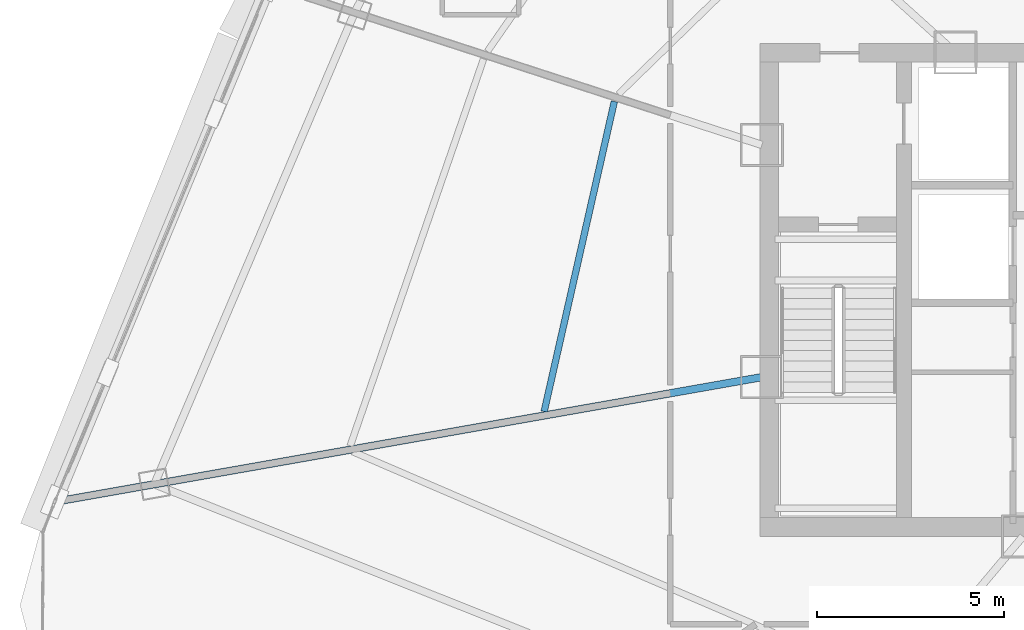
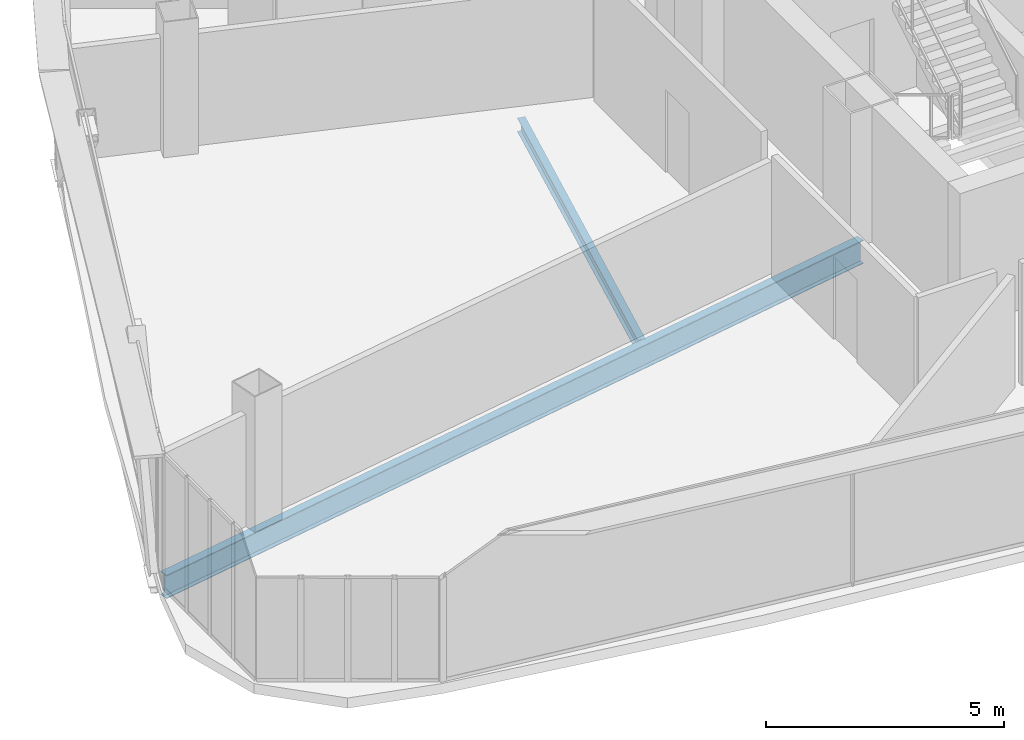
# One storey, part 5 of 40: 2 beams.
"""IFC4 building model written with IfcOpenShell, lengths in metres."""

from ifc_helpers import new_model, si_unit, direction, frame, origin, origin_2d, place, context, subcontext, project, spatial, i_section, extrude, source, transform, mapped, material, material_profile, profile_set, type_object, element, save


model = new_model("IFC4")

# Units and contexts
model_context = context("Model", 3, precision=1e-05, world=origin(), true_north=direction((0.0, 1.0)))
body_context = subcontext(model_context, "Body", "Model", "MODEL_VIEW")
ifc_project = project(units=[si_unit("LENGTHUNIT", "METRE"), si_unit("AREAUNIT", "SQUARE_METRE"), si_unit("VOLUMEUNIT", "CUBIC_METRE"), si_unit("PLANEANGLEUNIT", "RADIAN"), si_unit("MASSUNIT", "GRAM", prefix="KILO"), si_unit("THERMODYNAMICTEMPERATUREUNIT", "KELVIN"), si_unit("POWERUNIT", "WATT")], contexts=[model_context])

# Site, building, storey
site_placement = place(None, origin())
site = spatial("IfcSite", under=ifc_project, at=site_placement, CompositionType="ELEMENT")
building_placement = place(site_placement, origin())
building = spatial("IfcBuilding", under=site, at=building_placement, Name="Yunzhuo Pagoda Commons", CompositionType="ELEMENT")
storey_placement = place(building_placement, frame((0.0, 0.0, 288.75)))
storey = spatial("IfcBuildingStorey", under=building, at=storey_placement, Name="L72", CompositionType="ELEMENT", Elevation=288.75)

# Beams
ifc_material = material(Name="Structural steel Q355B", Category="steel")
ifc_material_profile_1 = material_profile(ifc_material, i_section(OverallWidth=0.175048828125, OverallDepth=0.35009765625, WebThickness=0.007080078125, FlangeThickness=0.010986328125, at=origin_2d()), Name="Structural steel Q355B")
ifc_profile_set_1 = profile_set([ifc_material_profile_1], Name="Structural steel Q355B")
beam_type_1 = type_object("IfcBeamType", Name="B-JS2 Joist HN 350x175x7x11", PredefinedType="JOIST", material=ifc_profile_set_1)
shared_shape_1 = source(origin(), body_context, "Body", "SweptSolid", [
    extrude(i_section(OverallWidth=0.175048828125, OverallDepth=0.35009765625, WebThickness=0.007080078125, FlangeThickness=0.010986328125, at=origin_2d()), origin(), (0.0, 0.0, 1.0), 8.508544921875),
])
beam_1_placement = place(storey_placement, frame((31.649658203125, 38.89208984375, -0.43505859375), z_axis=(-0.220769003385, -0.975326123481, 0.0), x_axis=(0.975326123481, -0.220769003385, 0.0)))
element("IfcBeam", 1, at=beam_1_placement, inside=storey, type_object=beam_type_1, Name="L72 composite ring joist 1.11", PredefinedType="JOIST", context=body_context, shape_type="MappedRepresentation", body=[
    mapped(shared_shape_1, transform((0.0, 0.0, 0.0), scale=1.0)),
])
ifc_material_profile_2 = material_profile(ifc_material, i_section(OverallWidth=0.199951171875, OverallDepth=0.60009765625, WebThickness=0.010986328125, FlangeThickness=0.01708984375, at=origin_2d()), Name="Structural steel Q355B")
ifc_profile_set_2 = profile_set([ifc_material_profile_2], Name="Structural steel Q355B")
beam_type_2 = type_object("IfcBeamType", Name="B-RG3 Beam HN 600x200x11x17", PredefinedType="BEAM", material=ifc_profile_set_2)
shared_shape_2 = source(origin(), body_context, "Body", "SweptSolid", [
    extrude(i_section(OverallWidth=0.199951171875, OverallDepth=0.60009765625, WebThickness=0.010986328125, FlangeThickness=0.01708984375, at=origin_2d()), origin(), (0.0, 0.0, 1.0), 19.06884765625),
])
beam_2_placement = place(storey_placement, frame((16.82080078125, 28.202392578125, -0.56005859375), z_axis=(0.984810098602, 0.173634874639, 0.0), x_axis=(-0.173634874639, 0.984810098602, 0.0)))
element("IfcBeam", 2, at=beam_2_placement, inside=storey, type_object=beam_type_2, Name="L72 radial floor girder F3C4", PredefinedType="BEAM", context=body_context, shape_type="MappedRepresentation", body=[
    mapped(shared_shape_2, transform((0.0, 0.0, 0.0), scale=1.0)),
])

save(model, "model.ifc")
